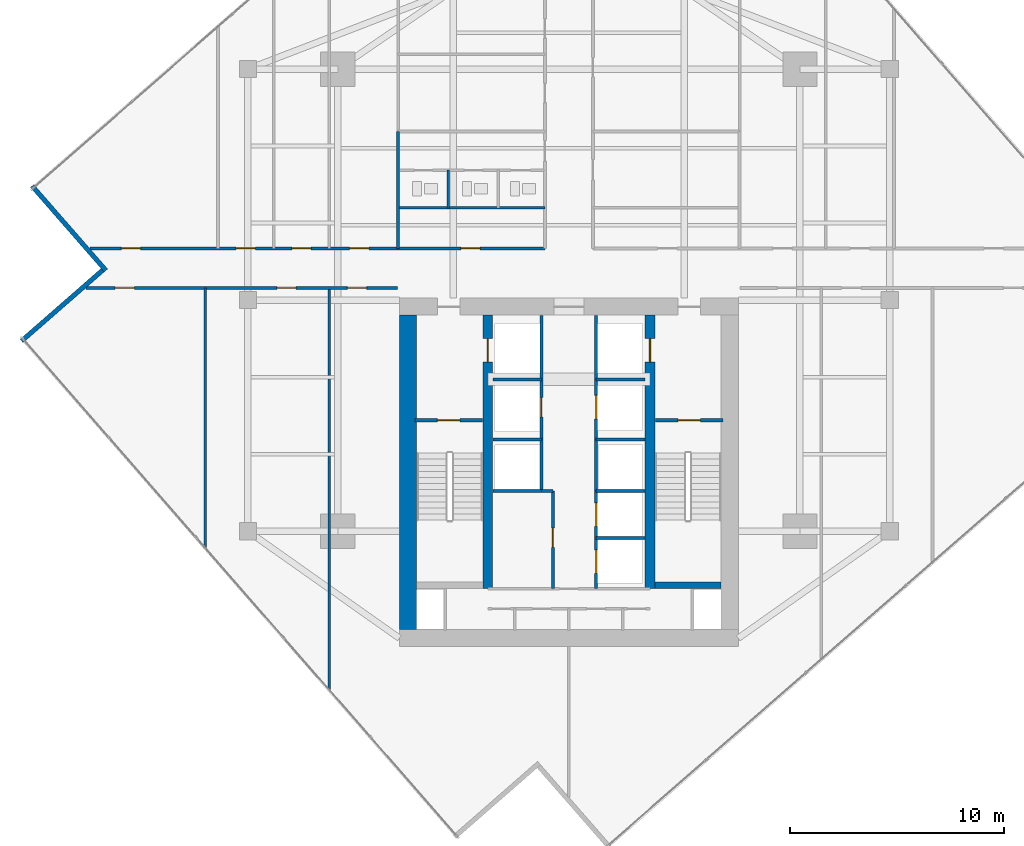
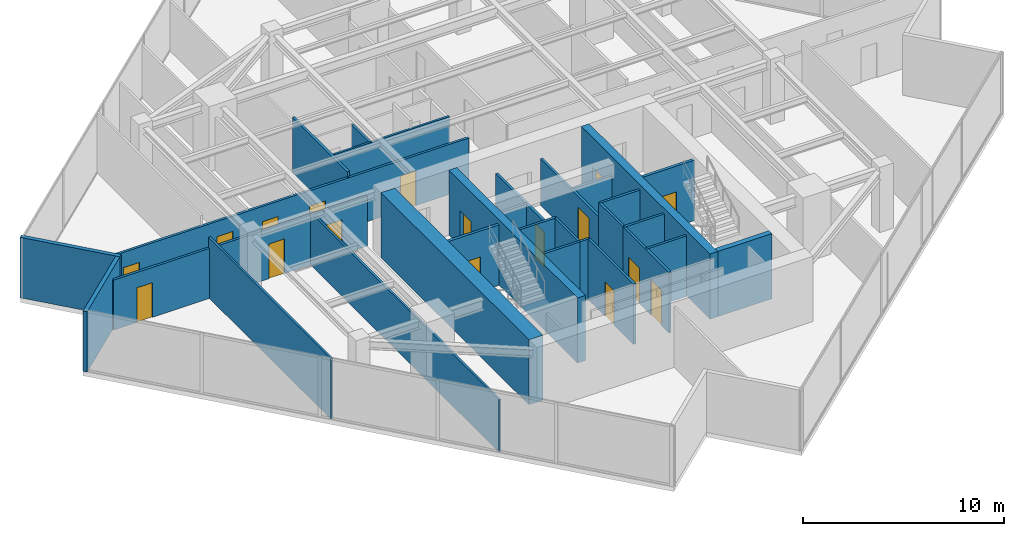
# One storey, part 20 of 24: 29 walls, 17 doors, 17 openings.
"""IFC4 building model written with IfcOpenShell, lengths in metres."""

from ifc_helpers import new_model, si_unit, direction, frame, frame_2d, origin, place, context, subcontext, project, spatial, rectangle, extrude, material, layer, layer_set, type_object, element, fill, save


model = new_model("IFC4")

# Units and contexts
model_context = context("Model", 3, precision=1e-05, world=origin(), true_north=direction((0.0, 1.0)))
body_context = subcontext(model_context, "Body", "Model", "MODEL_VIEW")
ifc_project = project(units=[si_unit("LENGTHUNIT", "METRE"), si_unit("AREAUNIT", "SQUARE_METRE"), si_unit("VOLUMEUNIT", "CUBIC_METRE"), si_unit("PLANEANGLEUNIT", "RADIAN"), si_unit("MASSUNIT", "GRAM", prefix="KILO")], contexts=[model_context])

# Site, building, storey
site_placement = place(None, origin())
site = spatial("IfcSite", under=ifc_project, at=site_placement, CompositionType="ELEMENT")
building_placement = place(site_placement, origin())
building = spatial("IfcBuilding", under=site, at=building_placement, Name="Krantzveldt Concourse Tower", CompositionType="ELEMENT")
storey_placement = place(building_placement, frame((0.0, 0.0, 250.75)))
storey = spatial("IfcBuildingStorey", under=building, at=storey_placement, Name="L61", CompositionType="ELEMENT", Elevation=250.75)

# Walls
ifc_material_1 = material(Name="Anodised aluminium 6063-T6", Category="aluminium")
ifc_layer_1 = layer(ifc_material_1, 0.219970703125, Name="Anodised aluminium 6063-T6", Category="aluminium")
ifc_layer_set_1 = layer_set([ifc_layer_1], Name="Anodised aluminium 6063-T6 (WL-EXT-NOTCH220)")
wall_type_1 = type_object("IfcWallType", Name="WL-EXT-NOTCH220", PredefinedType="ELEMENTEDWALL", material=ifc_layer_set_1)
wall_1_placement = place(storey_placement, frame((10.90771484375, 32.038818359375, 0.0), z_axis=(0.0, 0.0, 1.0), x_axis=(0.657710057617, -0.7532711863, 0.0)))
element("IfcWall", 1, at=wall_1_placement, inside=storey, type_object=wall_type_1, Name="EW-L61-NCH02", PredefinedType="ELEMENTEDWALL", context=body_context, shape_type="SweptSolid", body=[
    extrude(rectangle(XDim=5.2451171875, YDim=0.219970703125, at=frame_2d((2.62255859375, 0.0))), origin(), (0.0, 0.0, 1.0), 3.669921875),
])
wall_2_placement = place(storey_placement, frame((14.2021484375, 28.098388671875, 0.0), z_axis=(0.0, 0.0, 1.0), x_axis=(-0.753274531518, -0.657706226339, 0.0)))
element("IfcWall", 2, at=wall_2_placement, inside=storey, type_object=wall_type_1, Name="EW-L61-NCH03", PredefinedType="ELEMENTEDWALL", context=body_context, shape_type="SweptSolid", body=[
    extrude(rectangle(XDim=5.02490234375, YDim=0.219970703125, at=frame_2d((2.512451171875, 0.0))), origin(), (0.0, 0.0, 1.0), 3.669921875),
])
ifc_material_2 = material(Name="Fire-rated gypsum plasterboard on steel stud", Category="steel")
ifc_layer_2 = layer(ifc_material_2, 0.1201171875, Name="Fire-rated gypsum plasterboard on steel stud", Category="steel")
ifc_layer_set_2 = layer_set([ifc_layer_2], Name="Fire-rated gypsum plasterboard on steel stud (WL-PART-120)")
wall_type_2 = type_object("IfcWallType", Name="WL-PART-120", PredefinedType="PARTITIONING", material=ifc_layer_set_2)
wall_3_placement = place(storey_placement, frame((28.02001953125, 31.02001953125, 0.0), z_axis=(0.0, 0.0, 1.0), x_axis=(1.0, 0.0, 0.0)))
element("IfcWall", 3, at=wall_3_placement, inside=storey, type_object=wall_type_2, Name="WP-L61-ISML", PredefinedType="PARTITIONING", context=body_context, shape_type="SweptSolid", body=[
    extrude(rectangle(XDim=6.85986328125, YDim=0.1201171875, at=frame_2d((3.429931640625, 0.0))), origin(), (0.0, 0.0, 1.0), 3.179931640625),
])
wall_4_placement = place(storey_placement, frame((30.3701171875, 31.02001953125, 0.0), z_axis=(0.0, 0.0, 1.0), x_axis=(0.0, 1.0, 0.0)))
element("IfcWall", 4, at=wall_4_placement, inside=storey, type_object=wall_type_2, Name="WP-L61-WCD1", PredefinedType="PARTITIONING", context=body_context, shape_type="SweptSolid", body=[
    extrude(rectangle(XDim=1.760009765625, YDim=0.1201171875, at=frame_2d((0.8798828125, 0.0))), origin(), (0.0, 0.0, 1.0), 3.179931640625),
])
wall_5_placement = place(storey_placement, frame((19.0, 15.13818359375, 0.0), z_axis=(0.0, 0.0, 1.0), x_axis=(0.0, 1.0, 0.0)))
element("IfcWall", 5, at=wall_5_placement, inside=storey, type_object=wall_type_2, Name="WP-L61-SWX1", PredefinedType="PARTITIONING", context=body_context, shape_type="SweptSolid", body=[
    extrude(rectangle(XDim=12.141845703125, YDim=0.1201171875, at=frame_2d((6.07080078125, 0.0))), origin(), (0.0, 0.0, 1.0), 3.669921875),
])
wall_6_placement = place(storey_placement, frame((24.800048828125, 8.495361328125, 0.0), z_axis=(0.0, 0.0, 1.0), x_axis=(0.0, 1.0, 0.0)))
element("IfcWall", 6, at=wall_6_placement, inside=storey, type_object=wall_type_2, Name="WP-L61-SWX2", PredefinedType="PARTITIONING", context=body_context, shape_type="SweptSolid", body=[
    extrude(rectangle(XDim=18.78466796875, YDim=0.1201171875, at=frame_2d((9.392333984375, 0.0))), origin(), (0.0, 0.0, 1.0), 3.179931640625),
])

# Wall, openings, doors
ifc_layer_3 = layer(ifc_material_2, 0.139892578125, Name="Fire-rated gypsum plasterboard on steel stud", Category="steel")
ifc_layer_set_3 = layer_set([ifc_layer_3], Name="Fire-rated gypsum plasterboard on steel stud (WL-PART-140)")
wall_type_3 = type_object("IfcWallType", Name="WL-PART-140", PredefinedType="PARTITIONING", material=ifc_layer_set_3)
wall_7_placement = place(storey_placement, frame((13.60888671875, 29.1201171875, 0.0), z_axis=(0.0, 0.0, 1.0), x_axis=(1.0, 0.0, 0.0)))
wall_7 = element("IfcWall", 7, at=wall_7_placement, inside=storey, type_object=wall_type_3, Name="WP-L61-EWNL", PredefinedType="PARTITIONING", context=body_context, shape_type="SweptSolid", body=[
    extrude(rectangle(XDim=21.27099609375, YDim=0.139892578125, at=frame_2d((10.635498046875, 0.0))), origin(), (0.0, 0.0, 1.0), 3.030029296875),
])
opening_1_placement = place(wall_7_placement, frame((17.341064453125, 0.0, 0.0)))
opening_1 = element("IfcOpeningElement", 8, at=opening_1_placement, cuts=wall_7, Name="Opening D-IN090", PredefinedType="OPENING", context=body_context, shape_type="SweptSolid", body=[
    extrude(rectangle(XDim=0.89990234375, YDim=2.10009765625, at=frame_2d((0.449951171875, 1.050048828125))), frame((0.0, 0.080078125, 0.0), z_axis=(0.0, -1.0, 0.0), x_axis=(1.0, 0.0, 0.0)), (0.0, 0.0, 1.0), 0.159912109375),
])
opening_2_placement = place(wall_7_placement, frame((1.47802734375, 0.0, 0.0)))
opening_2 = element("IfcOpeningElement", 9, at=opening_2_placement, cuts=wall_7, Name="Opening D-IN090", PredefinedType="OPENING", context=body_context, shape_type="SweptSolid", body=[
    extrude(rectangle(XDim=0.89990234375, YDim=2.10009765625, at=frame_2d((0.449951171875, 1.050048828125))), frame((0.0, 0.080078125, 0.0), z_axis=(0.0, -1.0, 0.0), x_axis=(1.0, 0.0, 0.0)), (0.0, 0.0, 1.0), 0.159912109375),
])
opening_3_placement = place(wall_7_placement, frame((6.841064453125, 0.0, 0.0)))
opening_3 = element("IfcOpeningElement", 10, at=opening_3_placement, cuts=wall_7, Name="Opening D-IN090", PredefinedType="OPENING", context=body_context, shape_type="SweptSolid", body=[
    extrude(rectangle(XDim=0.89990234375, YDim=2.10009765625, at=frame_2d((0.449951171875, 1.050048828125))), frame((0.0, 0.080078125, 0.0), z_axis=(0.0, -1.0, 0.0), x_axis=(1.0, 0.0, 0.0)), (0.0, 0.0, 1.0), 0.159912109375),
])
opening_4_placement = place(wall_7_placement, frame((9.44091796875, 0.0, 0.0)))
opening_4 = element("IfcOpeningElement", 11, at=opening_4_placement, cuts=wall_7, Name="Opening D-IN090", PredefinedType="OPENING", context=body_context, shape_type="SweptSolid", body=[
    extrude(rectangle(XDim=0.89990234375, YDim=2.10009765625, at=frame_2d((0.449951171875, 1.050048828125))), frame((0.0, 0.080078125, 0.0), z_axis=(0.0, -1.0, 0.0), x_axis=(1.0, 0.0, 0.0)), (0.0, 0.0, 1.0), 0.159912109375),
])
opening_5_placement = place(wall_7_placement, frame((12.14111328125, 0.0, 0.0)))
opening_5 = element("IfcOpeningElement", 12, at=opening_5_placement, cuts=wall_7, Name="Opening D-IN090", PredefinedType="OPENING", context=body_context, shape_type="SweptSolid", body=[
    extrude(rectangle(XDim=0.89990234375, YDim=2.10009765625, at=frame_2d((0.449951171875, 1.050048828125))), frame((0.0, 0.080078125, 0.0), z_axis=(0.0, -1.0, 0.0), x_axis=(1.0, 0.0, 0.0)), (0.0, 0.0, 1.0), 0.159912109375),
])
ifc_material_3 = material(Name="Hardwood timber", Category="wood")
door_type_1 = type_object("IfcDoorType", Name="DR-INT-900", OperationType="SINGLE_SWING_LEFT", PredefinedType="DOOR", material=ifc_material_3)
door_1_placement = place(opening_1_placement, origin())
door_1 = element("IfcDoor", 13, at=door_1_placement, inside=storey, type_object=door_type_1, Name="DR-L61-ALCL", OperationType="SINGLE_SWING_LEFT", OverallHeight=2.10009765625, OverallWidth=0.89990234375, PredefinedType="DOOR", context=body_context, shape_type="SweptSolid", body=[
    extrude(rectangle(XDim=0.89990234375, YDim=2.10009765625, at=frame_2d((0.449951171875, 1.050048828125))), frame((0.0, 0.02490234375, 0.0), z_axis=(0.0, -1.0, 0.0), x_axis=(1.0, 0.0, 0.0)), (0.0, 0.0, 1.0), 0.050048828125),
])
fill(opening_1, door_1)
door_2_placement = place(opening_2_placement, origin())
door_2 = element("IfcDoor", 14, at=door_2_placement, inside=storey, type_object=door_type_1, Name="DR-L61-NWX1", OperationType="SINGLE_SWING_LEFT", OverallHeight=2.10009765625, OverallWidth=0.89990234375, PredefinedType="DOOR", context=body_context, shape_type="SweptSolid", body=[
    extrude(rectangle(XDim=0.89990234375, YDim=2.10009765625, at=frame_2d((0.449951171875, 1.050048828125))), frame((0.0, 0.02490234375, 0.0), z_axis=(0.0, -1.0, 0.0), x_axis=(1.0, 0.0, 0.0)), (0.0, 0.0, 1.0), 0.050048828125),
])
fill(opening_2, door_2)
door_3_placement = place(opening_3_placement, origin())
door_3 = element("IfcDoor", 15, at=door_3_placement, inside=storey, type_object=door_type_1, Name="DR-L61-NWX2", OperationType="SINGLE_SWING_LEFT", OverallHeight=2.10009765625, OverallWidth=0.89990234375, PredefinedType="DOOR", context=body_context, shape_type="SweptSolid", body=[
    extrude(rectangle(XDim=0.89990234375, YDim=2.10009765625, at=frame_2d((0.449951171875, 1.050048828125))), frame((0.0, 0.02490234375, 0.0), z_axis=(0.0, -1.0, 0.0), x_axis=(1.0, 0.0, 0.0)), (0.0, 0.0, 1.0), 0.050048828125),
])
fill(opening_3, door_3)
door_4_placement = place(opening_4_placement, origin())
door_4 = element("IfcDoor", 16, at=door_4_placement, inside=storey, type_object=door_type_1, Name="DR-L61-NWX3", OperationType="SINGLE_SWING_LEFT", OverallHeight=2.10009765625, OverallWidth=0.89990234375, PredefinedType="DOOR", context=body_context, shape_type="SweptSolid", body=[
    extrude(rectangle(XDim=0.89990234375, YDim=2.10009765625, at=frame_2d((0.449951171875, 1.050048828125))), frame((0.0, 0.02490234375, 0.0), z_axis=(0.0, -1.0, 0.0), x_axis=(1.0, 0.0, 0.0)), (0.0, 0.0, 1.0), 0.050048828125),
])
fill(opening_4, door_4)
door_5_placement = place(opening_5_placement, origin())
door_5 = element("IfcDoor", 17, at=door_5_placement, inside=storey, type_object=door_type_1, Name="DR-L61-NWX4", OperationType="SINGLE_SWING_LEFT", OverallHeight=2.10009765625, OverallWidth=0.89990234375, PredefinedType="DOOR", context=body_context, shape_type="SweptSolid", body=[
    extrude(rectangle(XDim=0.89990234375, YDim=2.10009765625, at=frame_2d((0.449951171875, 1.050048828125))), frame((0.0, 0.02490234375, 0.0), z_axis=(0.0, -1.0, 0.0), x_axis=(1.0, 0.0, 0.0)), (0.0, 0.0, 1.0), 0.050048828125),
])
fill(opening_5, door_5)

wall_8_placement = place(storey_placement, frame((13.439453125, 27.280029296875, 0.0), z_axis=(0.0, 0.0, 1.0), x_axis=(1.0, 0.0, 0.0)))
wall_8 = element("IfcWall", 18, at=wall_8_placement, inside=storey, type_object=wall_type_3, Name="WP-L61-EWSL", PredefinedType="PARTITIONING", context=body_context, shape_type="SweptSolid", body=[
    extrude(rectangle(XDim=14.560546875, YDim=0.139892578125, at=frame_2d((7.2802734375, 0.0))), origin(), (0.0, 0.0, 1.0), 3.030029296875),
])
opening_6_placement = place(wall_8_placement, frame((1.347412109375, 0.0, 0.0)))
opening_6 = element("IfcOpeningElement", 19, at=opening_6_placement, cuts=wall_8, Name="Opening D-IN090", PredefinedType="OPENING", context=body_context, shape_type="SweptSolid", body=[
    extrude(rectangle(XDim=0.89990234375, YDim=2.10009765625, at=frame_2d((0.449951171875, 1.050048828125))), frame((0.0, 0.080078125, 0.0), z_axis=(0.0, -1.0, 0.0), x_axis=(1.0, 0.0, 0.0)), (0.0, 0.0, 1.0), 0.159912109375),
])
opening_7_placement = place(wall_8_placement, frame((8.910400390625, 0.0, 0.0)))
opening_7 = element("IfcOpeningElement", 20, at=opening_7_placement, cuts=wall_8, Name="Opening D-IN090", PredefinedType="OPENING", context=body_context, shape_type="SweptSolid", body=[
    extrude(rectangle(XDim=0.89990234375, YDim=2.10009765625, at=frame_2d((0.449951171875, 1.050048828125))), frame((0.0, 0.080078125, 0.0), z_axis=(0.0, -1.0, 0.0), x_axis=(1.0, 0.0, 0.0)), (0.0, 0.0, 1.0), 0.159912109375),
])
opening_8_placement = place(wall_8_placement, frame((12.21044921875, 0.0, 0.0)))
opening_8 = element("IfcOpeningElement", 21, at=opening_8_placement, cuts=wall_8, Name="Opening D-IN090", PredefinedType="OPENING", context=body_context, shape_type="SweptSolid", body=[
    extrude(rectangle(XDim=0.89990234375, YDim=2.10009765625, at=frame_2d((0.449951171875, 1.050048828125))), frame((0.0, 0.080078125, 0.0), z_axis=(0.0, -1.0, 0.0), x_axis=(1.0, 0.0, 0.0)), (0.0, 0.0, 1.0), 0.159912109375),
])
door_6_placement = place(opening_6_placement, origin())
door_6 = element("IfcDoor", 22, at=door_6_placement, inside=storey, type_object=door_type_1, Name="DR-L61-SWX1", OperationType="SINGLE_SWING_LEFT", OverallHeight=2.10009765625, OverallWidth=0.89990234375, PredefinedType="DOOR", context=body_context, shape_type="SweptSolid", body=[
    extrude(rectangle(XDim=0.89990234375, YDim=2.10009765625, at=frame_2d((0.449951171875, 1.050048828125))), frame((0.0, 0.02490234375, 0.0), z_axis=(0.0, -1.0, 0.0), x_axis=(1.0, 0.0, 0.0)), (0.0, 0.0, 1.0), 0.050048828125),
])
fill(opening_6, door_6)
door_7_placement = place(opening_7_placement, origin())
door_7 = element("IfcDoor", 23, at=door_7_placement, inside=storey, type_object=door_type_1, Name="DR-L61-SWX2", OperationType="SINGLE_SWING_LEFT", OverallHeight=2.10009765625, OverallWidth=0.89990234375, PredefinedType="DOOR", context=body_context, shape_type="SweptSolid", body=[
    extrude(rectangle(XDim=0.89990234375, YDim=2.10009765625, at=frame_2d((0.449951171875, 1.050048828125))), frame((0.0, 0.02490234375, 0.0), z_axis=(0.0, -1.0, 0.0), x_axis=(1.0, 0.0, 0.0)), (0.0, 0.0, 1.0), 0.050048828125),
])
fill(opening_7, door_7)
door_8_placement = place(opening_8_placement, origin())
door_8 = element("IfcDoor", 24, at=door_8_placement, inside=storey, type_object=door_type_1, Name="DR-L61-SWX3", OperationType="SINGLE_SWING_LEFT", OverallHeight=2.10009765625, OverallWidth=0.89990234375, PredefinedType="DOOR", context=body_context, shape_type="SweptSolid", body=[
    extrude(rectangle(XDim=0.89990234375, YDim=2.10009765625, at=frame_2d((0.449951171875, 1.050048828125))), frame((0.0, 0.02490234375, 0.0), z_axis=(0.0, -1.0, 0.0), x_axis=(1.0, 0.0, 0.0)), (0.0, 0.0, 1.0), 0.050048828125),
])
fill(opening_8, door_8)

# Wall
wall_9_placement = place(storey_placement, frame((28.02001953125, 29.1201171875, 0.0), z_axis=(0.0, 0.0, 1.0), x_axis=(0.0, 1.0, 0.0)))
element("IfcWall", 25, at=wall_9_placement, inside=storey, type_object=wall_type_3, Name="WP-L61-ISWL", PredefinedType="PARTITIONING", context=body_context, shape_type="SweptSolid", body=[
    extrude(rectangle(XDim=5.4599609375, YDim=0.139892578125, at=frame_2d((2.72998046875, 0.0))), origin(), (0.0, 0.0, 1.0), 3.3701171875),
])

# Wall, opening, door
ifc_layer_4 = layer(ifc_material_2, 0.139892578125, Name="Fire-rated gypsum plasterboard on steel stud", Category="steel")
ifc_layer_set_4 = layer_set([ifc_layer_4], Name="Fire-rated gypsum plasterboard on steel stud (WL-PART-FR140)")
wall_type_4 = type_object("IfcWallType", Name="WL-PART-FR140", PredefinedType="PARTITIONING", material=ifc_layer_set_4)
wall_10_placement = place(storey_placement, frame((34.719970703125, 20.199951171875, 0.0), z_axis=(0.0, 0.0, 1.0), x_axis=(0.0, 1.0, 0.0)))
wall_10 = element("IfcWall", 26, at=wall_10_placement, inside=storey, type_object=wall_type_4, Name="WP-L61-SHNW", PredefinedType="PARTITIONING", context=body_context, shape_type="SweptSolid", body=[
    extrude(rectangle(XDim=5.780029296875, YDim=0.139892578125, at=frame_2d((2.89013671875, 0.0))), origin(), (0.0, 0.0, 1.0), 2.820068359375),
])
opening_9_placement = place(wall_10_placement, frame((1.050048828125, 0.0, 0.0)))
opening_9 = element("IfcOpeningElement", 27, at=opening_9_placement, cuts=wall_10, Name="Opening D-FD090", PredefinedType="OPENING", context=body_context, shape_type="SweptSolid", body=[
    extrude(rectangle(XDim=0.89990234375, YDim=2.10009765625, at=frame_2d((0.449951171875, 1.050048828125))), frame((0.0, 0.080078125, 0.0), z_axis=(0.0, -1.0, 0.0), x_axis=(1.0, 0.0, 0.0)), (0.0, 0.0, 1.0), 0.159912109375),
])
door_type_2 = type_object("IfcDoorType", Name="DR-FD60-900", OperationType="SINGLE_SWING_LEFT", PredefinedType="DOOR", material=ifc_material_3)
door_9_placement = place(opening_9_placement, origin())
door_9 = element("IfcDoor", 28, at=door_9_placement, inside=storey, type_object=door_type_2, Name="Electrical Riser Access Door L61", OperationType="SINGLE_SWING_LEFT", OverallHeight=2.10009765625, OverallWidth=0.89990234375, PredefinedType="DOOR", context=body_context, shape_type="SweptSolid", body=[
    extrude(rectangle(XDim=0.89990234375, YDim=2.10009765625, at=frame_2d((0.449951171875, 1.050048828125))), frame((0.0, 0.02490234375, 0.0), z_axis=(0.0, -1.0, 0.0), x_axis=(1.0, 0.0, 0.0)), (0.0, 0.0, 1.0), 0.050048828125),
])
fill(opening_9, door_9)

wall_11_placement = place(storey_placement, frame((37.280029296875, 20.199951171875, 0.0), z_axis=(0.0, 0.0, 1.0), x_axis=(0.0, 1.0, 0.0)))
wall_11 = element("IfcWall", 29, at=wall_11_placement, inside=storey, type_object=wall_type_4, Name="WP-L61-SHNE", PredefinedType="PARTITIONING", context=body_context, shape_type="SweptSolid", body=[
    extrude(rectangle(XDim=5.780029296875, YDim=0.139892578125, at=frame_2d((2.89013671875, 0.0))), origin(), (0.0, 0.0, 1.0), 2.820068359375),
])
opening_10_placement = place(wall_11_placement, frame((0.949951171875, 0.0, 0.0)))
opening_10 = element("IfcOpeningElement", 30, at=opening_10_placement, cuts=wall_11, Name="Opening LD", PredefinedType="OPENING", context=body_context, shape_type="SweptSolid", body=[
    extrude(rectangle(XDim=1.10009765625, YDim=2.14990234375, at=frame_2d((0.550048828125, 1.074951171875))), frame((0.0, 0.080078125, 0.0), z_axis=(0.0, -1.0, 0.0), x_axis=(1.0, 0.0, 0.0)), (0.0, 0.0, 1.0), 0.159912109375),
])
ifc_material_4 = material(Name="Stainless steel 316L", Category="steel")
door_type_3 = type_object("IfcDoorType", Name="DR-SLIDE-LD1100", OperationType="DOUBLE_DOOR_SLIDING", PredefinedType="DOOR", material=ifc_material_4)
door_10_placement = place(opening_10_placement, origin())
door_10 = element("IfcDoor", 31, at=door_10_placement, inside=storey, type_object=door_type_3, Name="LD-L61-GL1", OperationType="DOUBLE_DOOR_SLIDING", OverallHeight=2.14990234375, OverallWidth=1.10009765625, PredefinedType="DOOR", context=body_context, shape_type="SweptSolid", body=[
    extrude(rectangle(XDim=1.10009765625, YDim=2.14990234375, at=frame_2d((0.550048828125, 1.074951171875))), frame((0.0, 0.02490234375, 0.0), z_axis=(0.0, -1.0, 0.0), x_axis=(1.0, 0.0, 0.0)), (0.0, 0.0, 1.0), 0.050048828125),
])
fill(opening_10, door_10)

# Walls
for number, where, z_axis, x_axis, name in (
    (32, (32.449951171875, 23.0, 0.0), (0.0, 0.0, 1.0), (1.0, 0.0, 0.0), "WP-L61-RISH"),
    (33, (37.280029296875, 23.0, 0.0), (0.0, 0.0, 1.0), (1.0, 0.0, 0.0), "WP-L61-GLH"),
):
    element("IfcWall", number, at=place(storey_placement, frame(where, z_axis=z_axis, x_axis=x_axis)), inside=storey, type_object=wall_type_4, Name=name, PredefinedType="PARTITIONING", context=body_context, shape_type="SweptSolid", body=[
        extrude(rectangle(XDim=2.27001953125, YDim=0.139892578125, at=frame_2d((1.135009765625, 0.0))), origin(), (0.0, 0.0, 1.0), 2.820068359375),
    ])
for number, where, z_axis, x_axis, name in (
    (34, (34.719970703125, 17.780029296875, 0.0), (0.0, 0.0, 1.0), (0.0, 1.0, 0.0), "WP-L61-SHNW2"),
    (35, (37.280029296875, 17.780029296875, 0.0), (0.0, 0.0, 1.0), (0.0, 1.0, 0.0), "WP-L61-SHNE2"),
):
    element("IfcWall", number, at=place(storey_placement, frame(where, z_axis=z_axis, x_axis=x_axis)), inside=storey, type_object=wall_type_4, Name=name, PredefinedType="PARTITIONING", context=body_context, shape_type="SweptSolid", body=[
        extrude(rectangle(XDim=2.419921875, YDim=0.139892578125, at=frame_2d((1.2099609375, 0.0))), origin(), (0.0, 0.0, 1.0), 3.669921875),
    ])
for number, where, z_axis, x_axis, name in (
    (36, (32.449951171875, 17.780029296875, 0.0), (0.0, 0.0, 1.0), (1.0, 0.0, 0.0), "WP-L61-DIVW2"),
    (37, (32.449951171875, 20.179931640625, 0.0), (0.0, 0.0, 1.0), (1.0, 0.0, 0.0), "WP-L61-DIVW3"),
    (38, (37.280029296875, 17.780029296875, 0.0), (0.0, 0.0, 1.0), (1.0, 0.0, 0.0), "WP-L61-DIVE2"),
    (39, (37.280029296875, 20.179931640625, 0.0), (0.0, 0.0, 1.0), (1.0, 0.0, 0.0), "WP-L61-DIVE3"),
):
    element("IfcWall", number, at=place(storey_placement, frame(where, z_axis=z_axis, x_axis=x_axis)), inside=storey, type_object=wall_type_4, Name=name, PredefinedType="PARTITIONING", context=body_context, shape_type="SweptSolid", body=[
        extrude(rectangle(XDim=2.27001953125, YDim=0.139892578125, at=frame_2d((1.135009765625, 0.0))), origin(), (0.0, 0.0, 1.0), 3.669921875),
    ])

# Wall, opening, door
wall_12_placement = place(storey_placement, frame((35.25, 13.219970703125, 0.0), z_axis=(0.0, 0.0, 1.0), x_axis=(0.0, 1.0, 0.0)))
wall_12 = element("IfcWall", 40, at=wall_12_placement, inside=storey, type_object=wall_type_4, Name="WP-L61-RECW", PredefinedType="PARTITIONING", context=body_context, shape_type="SweptSolid", body=[
    extrude(rectangle(XDim=4.56005859375, YDim=0.139892578125, at=frame_2d((2.280029296875, 0.0))), origin(), (0.0, 0.0, 1.0), 3.669921875),
])
opening_11_placement = place(wall_12_placement, frame((1.929931640625, 0.0, 0.0)))
opening_11 = element("IfcOpeningElement", 41, at=opening_11_placement, cuts=wall_12, Name="Opening D-FD090", PredefinedType="OPENING", context=body_context, shape_type="SweptSolid", body=[
    extrude(rectangle(XDim=0.89990234375, YDim=2.10009765625, at=frame_2d((0.449951171875, 1.050048828125))), frame((0.0, 0.080078125, 0.0), z_axis=(0.0, -1.0, 0.0), x_axis=(1.0, 0.0, 0.0)), (0.0, 0.0, 1.0), 0.159912109375),
])
door_11_placement = place(opening_11_placement, origin())
door_11 = element("IfcDoor", 42, at=door_11_placement, inside=storey, type_object=door_type_2, Name="DR-L61-RECW", OperationType="SINGLE_SWING_LEFT", OverallHeight=2.10009765625, OverallWidth=0.89990234375, PredefinedType="DOOR", context=body_context, shape_type="SweptSolid", body=[
    extrude(rectangle(XDim=0.89990234375, YDim=2.10009765625, at=frame_2d((0.449951171875, 1.050048828125))), frame((0.0, 0.02490234375, 0.0), z_axis=(0.0, -1.0, 0.0), x_axis=(1.0, 0.0, 0.0)), (0.0, 0.0, 1.0), 0.050048828125),
])
fill(opening_11, door_11)

# Wall
wall_13_placement = place(storey_placement, frame((34.719970703125, 17.780029296875, 0.0), z_axis=(0.0, 0.0, 1.0), x_axis=(1.0, 0.0, 0.0)))
element("IfcWall", 43, at=wall_13_placement, inside=storey, type_object=wall_type_4, Name="WP-L61-RECWN", PredefinedType="PARTITIONING", context=body_context, shape_type="SweptSolid", body=[
    extrude(rectangle(XDim=0.530029296875, YDim=0.139892578125, at=frame_2d((0.26513671875, 0.0))), origin(), (0.0, 0.0, 1.0), 3.669921875),
])

# Wall, openings, doors
wall_14_placement = place(storey_placement, frame((37.280029296875, 13.219970703125, 0.0), z_axis=(0.0, 0.0, 1.0), x_axis=(0.0, 1.0, 0.0)))
wall_14 = element("IfcWall", 44, at=wall_14_placement, inside=storey, type_object=wall_type_4, Name="WP-L61-SHSE", PredefinedType="PARTITIONING", context=body_context, shape_type="SweptSolid", body=[
    extrude(rectangle(XDim=4.56005859375, YDim=0.139892578125, at=frame_2d((2.280029296875, 0.0))), origin(), (0.0, 0.0, 1.0), 3.669921875),
])
opening_12_placement = place(wall_14_placement, frame((0.7099609375, 0.0, 0.0)))
opening_12 = element("IfcOpeningElement", 45, at=opening_12_placement, cuts=wall_14, Name="Opening LD", PredefinedType="OPENING", context=body_context, shape_type="SweptSolid", body=[
    extrude(rectangle(XDim=1.10009765625, YDim=2.14990234375, at=frame_2d((0.550048828125, 1.074951171875))), frame((0.0, 0.080078125, 0.0), z_axis=(0.0, -1.0, 0.0), x_axis=(1.0, 0.0, 0.0)), (0.0, 0.0, 1.0), 0.159912109375),
])
opening_13_placement = place(wall_14_placement, frame((2.909912109375, 0.0, 0.0)))
opening_13 = element("IfcOpeningElement", 46, at=opening_13_placement, cuts=wall_14, Name="Opening LD", PredefinedType="OPENING", context=body_context, shape_type="SweptSolid", body=[
    extrude(rectangle(XDim=1.10009765625, YDim=2.14990234375, at=frame_2d((0.550048828125, 1.074951171875))), frame((0.0, 0.080078125, 0.0), z_axis=(0.0, -1.0, 0.0), x_axis=(1.0, 0.0, 0.0)), (0.0, 0.0, 1.0), 0.159912109375),
])
door_12_placement = place(opening_12_placement, origin())
door_12 = element("IfcDoor", 47, at=door_12_placement, inside=storey, type_object=door_type_3, Name="LD-L61-PM1", OperationType="DOUBLE_DOOR_SLIDING", OverallHeight=2.14990234375, OverallWidth=1.10009765625, PredefinedType="DOOR", context=body_context, shape_type="SweptSolid", body=[
    extrude(rectangle(XDim=1.10009765625, YDim=2.14990234375, at=frame_2d((0.550048828125, 1.074951171875))), frame((0.0, 0.02490234375, 0.0), z_axis=(0.0, -1.0, 0.0), x_axis=(1.0, 0.0, 0.0)), (0.0, 0.0, 1.0), 0.050048828125),
])
fill(opening_12, door_12)
door_13_placement = place(opening_13_placement, origin())
door_13 = element("IfcDoor", 48, at=door_13_placement, inside=storey, type_object=door_type_3, Name="LD-L61-PM2", OperationType="DOUBLE_DOOR_SLIDING", OverallHeight=2.14990234375, OverallWidth=1.10009765625, PredefinedType="DOOR", context=body_context, shape_type="SweptSolid", body=[
    extrude(rectangle(XDim=1.10009765625, YDim=2.14990234375, at=frame_2d((0.550048828125, 1.074951171875))), frame((0.0, 0.02490234375, 0.0), z_axis=(0.0, -1.0, 0.0), x_axis=(1.0, 0.0, 0.0)), (0.0, 0.0, 1.0), 0.050048828125),
])
fill(opening_13, door_13)

# Wall
wall_15_placement = place(storey_placement, frame((37.280029296875, 15.580078125, 0.0), z_axis=(0.0, 0.0, 1.0), x_axis=(1.0, 0.0, 0.0)))
element("IfcWall", 49, at=wall_15_placement, inside=storey, type_object=wall_type_4, Name="WP-L61-DIVE1", PredefinedType="PARTITIONING", context=body_context, shape_type="SweptSolid", body=[
    extrude(rectangle(XDim=2.27001953125, YDim=0.139892578125, at=frame_2d((1.135009765625, 0.0))), origin(), (0.0, 0.0, 1.0), 3.669921875),
])

# Wall, opening, door
ifc_layer_5 = layer(ifc_material_2, 0.159912109375, Name="Fire-rated gypsum plasterboard on steel stud", Category="steel")
ifc_layer_set_5 = layer_set([ifc_layer_5], Name="Fire-rated gypsum plasterboard on steel stud (WL-PART-FR160)")
wall_type_5 = type_object("IfcWallType", Name="WL-PART-FR160", PredefinedType="PARTITIONING", material=ifc_layer_set_5)
wall_16_placement = place(storey_placement, frame((28.800048828125, 21.080078125, 0.0), z_axis=(0.0, 0.0, 1.0), x_axis=(1.0, 0.0, 0.0)))
wall_16 = element("IfcWall", 50, at=wall_16_placement, inside=storey, type_object=wall_type_5, Name="WP-L61-ST1", PredefinedType="PARTITIONING", context=body_context, shape_type="SweptSolid", body=[
    extrude(rectangle(XDim=3.159912109375, YDim=0.159912109375, at=frame_2d((1.580078125, 0.0))), origin(), (0.0, 0.0, 1.0), 3.669921875),
])
opening_14_placement = place(wall_16_placement, frame((1.054931640625, 0.0, 0.0)))
opening_14 = element("IfcOpeningElement", 51, at=opening_14_placement, cuts=wall_16, Name="Opening D-FD105", PredefinedType="OPENING", context=body_context, shape_type="SweptSolid", body=[
    extrude(rectangle(XDim=1.050048828125, YDim=2.10009765625, at=frame_2d((0.52490234375, 1.050048828125))), frame((0.0, 0.08984375, 0.0), z_axis=(0.0, -1.0, 0.0), x_axis=(1.0, 0.0, 0.0)), (0.0, 0.0, 1.0), 0.179931640625),
])
ifc_material_5 = material(Name="Galvanised steel", Category="steel")
door_type_4 = type_object("IfcDoorType", Name="DR-FD120-1050", OperationType="SINGLE_SWING_LEFT", PredefinedType="DOOR", material=ifc_material_5)
door_14_placement = place(opening_14_placement, origin())
door_14 = element("IfcDoor", 52, at=door_14_placement, inside=storey, type_object=door_type_4, Name="DR-L61-ST1", OperationType="SINGLE_SWING_RIGHT", OverallHeight=2.10009765625, OverallWidth=1.050048828125, PredefinedType="DOOR", context=body_context, shape_type="SweptSolid", body=[
    extrude(rectangle(XDim=1.050048828125, YDim=2.10009765625, at=frame_2d((0.52490234375, 1.050048828125))), frame((0.0, 0.02490234375, 0.0), z_axis=(0.0, -1.0, 0.0), x_axis=(1.0, 0.0, 0.0)), (0.0, 0.0, 1.0), 0.050048828125),
])
fill(opening_14, door_14)

wall_17_placement = place(storey_placement, frame((40.0400390625, 21.080078125, 0.0), z_axis=(0.0, 0.0, 1.0), x_axis=(1.0, 0.0, 0.0)))
wall_17 = element("IfcWall", 53, at=wall_17_placement, inside=storey, type_object=wall_type_5, Name="WP-L61-ST2", PredefinedType="PARTITIONING", context=body_context, shape_type="SweptSolid", body=[
    extrude(rectangle(XDim=3.159912109375, YDim=0.159912109375, at=frame_2d((1.580078125, 0.0))), origin(), (0.0, 0.0, 1.0), 3.669921875),
])
opening_15_placement = place(wall_17_placement, frame((1.054931640625, 0.0, 0.0)))
opening_15 = element("IfcOpeningElement", 54, at=opening_15_placement, cuts=wall_17, Name="Opening D-FD105", PredefinedType="OPENING", context=body_context, shape_type="SweptSolid", body=[
    extrude(rectangle(XDim=1.050048828125, YDim=2.10009765625, at=frame_2d((0.52490234375, 1.050048828125))), frame((0.0, 0.08984375, 0.0), z_axis=(0.0, -1.0, 0.0), x_axis=(1.0, 0.0, 0.0)), (0.0, 0.0, 1.0), 0.179931640625),
])
door_15_placement = place(opening_15_placement, origin())
door_15 = element("IfcDoor", 55, at=door_15_placement, inside=storey, type_object=door_type_4, Name="DR-L61-ST2", OperationType="SINGLE_SWING_LEFT", OverallHeight=2.10009765625, OverallWidth=1.050048828125, PredefinedType="DOOR", context=body_context, shape_type="SweptSolid", body=[
    extrude(rectangle(XDim=1.050048828125, YDim=2.10009765625, at=frame_2d((0.52490234375, 1.050048828125))), frame((0.0, 0.02490234375, 0.0), z_axis=(0.0, -1.0, 0.0), x_axis=(1.0, 0.0, 0.0)), (0.0, 0.0, 1.0), 0.050048828125),
])
fill(opening_15, door_15)

# Wall
ifc_material_6 = material(Name="Concrete C50/60", Category="concrete")
ifc_layer_6 = layer(ifc_material_6, 0.300048828125, Name="Concrete C50/60", Category="concrete")
ifc_layer_set_6 = layer_set([ifc_layer_6], Name="Concrete C50/60 (WL-SHEAR-300)")
wall_type_6 = type_object("IfcWallType", Name="WL-SHEAR-300", PredefinedType="SHEAR", material=ifc_layer_set_6)
wall_18_placement = place(storey_placement, frame((40.02001953125, 13.3701171875, 0.0), z_axis=(0.0, 0.0, 1.0), x_axis=(1.0, 0.0, 0.0)))
element("IfcWall", 56, at=wall_18_placement, inside=storey, type_object=wall_type_6, Name="CW-L61-ST2S", PredefinedType="SHEAR", context=body_context, shape_type="SweptSolid", body=[
    extrude(rectangle(XDim=3.10009765625, YDim=0.300048828125, at=frame_2d((1.550048828125, 0.0))), origin(), (0.0, 0.0, 1.0), 3.949951171875),
])

# Wall, opening, door
ifc_layer_7 = layer(ifc_material_6, 0.449951171875, Name="Concrete C50/60", Category="concrete")
ifc_layer_set_7 = layer_set([ifc_layer_7], Name="Concrete C50/60 (WL-SHEAR-450)")
wall_type_7 = type_object("IfcWallType", Name="WL-SHEAR-450", PredefinedType="SHEAR", material=ifc_layer_set_7)
wall_19_placement = place(storey_placement, frame((32.205078125, 13.219970703125, 0.0), z_axis=(0.0, 0.0, 1.0), x_axis=(0.0, 1.0, 0.0)))
wall_19 = element("IfcWall", 57, at=wall_19_placement, inside=storey, type_object=wall_type_7, Name="CW-L61-IW", PredefinedType="SHEAR", context=body_context, shape_type="SweptSolid", body=[
    extrude(rectangle(XDim=12.780029296875, YDim=0.449951171875, at=frame_2d((6.39013671875, 0.0))), origin(), (0.0, 0.0, 1.0), 3.949951171875),
])
opening_16_placement = place(wall_19_placement, frame((10.580078125, 0.0, 0.0)))
opening_16 = element("IfcOpeningElement", 58, at=opening_16_placement, cuts=wall_19, Name="Opening LD", PredefinedType="OPENING", context=body_context, shape_type="SweptSolid", body=[
    extrude(rectangle(XDim=1.10009765625, YDim=2.14990234375, at=frame_2d((0.550048828125, 1.074951171875))), frame((0.0, 0.23486328125, 0.0), z_axis=(0.0, -1.0, 0.0), x_axis=(1.0, 0.0, 0.0)), (0.0, 0.0, 1.0), 0.469970703125),
])
door_16_placement = place(opening_16_placement, origin())
door_16 = element("IfcDoor", 59, at=door_16_placement, inside=storey, type_object=door_type_3, Name="LD-L61-FL1", OperationType="DOUBLE_DOOR_SLIDING", OverallHeight=2.14990234375, OverallWidth=1.10009765625, PredefinedType="DOOR", context=body_context, shape_type="SweptSolid", body=[
    extrude(rectangle(XDim=1.10009765625, YDim=2.14990234375, at=frame_2d((0.550048828125, 1.074951171875))), frame((0.0, 0.02490234375, 0.0), z_axis=(0.0, -1.0, 0.0), x_axis=(1.0, 0.0, 0.0)), (0.0, 0.0, 1.0), 0.050048828125),
])
fill(opening_16, door_16)

wall_20_placement = place(storey_placement, frame((39.794921875, 13.219970703125, 0.0), z_axis=(0.0, 0.0, 1.0), x_axis=(0.0, 1.0, 0.0)))
wall_20 = element("IfcWall", 60, at=wall_20_placement, inside=storey, type_object=wall_type_7, Name="CW-L61-IE", PredefinedType="SHEAR", context=body_context, shape_type="SweptSolid", body=[
    extrude(rectangle(XDim=12.780029296875, YDim=0.449951171875, at=frame_2d((6.39013671875, 0.0))), origin(), (0.0, 0.0, 1.0), 3.949951171875),
])
opening_17_placement = place(wall_20_placement, frame((10.580078125, 0.0, 0.0)))
opening_17 = element("IfcOpeningElement", 61, at=opening_17_placement, cuts=wall_20, Name="Opening LD", PredefinedType="OPENING", context=body_context, shape_type="SweptSolid", body=[
    extrude(rectangle(XDim=1.10009765625, YDim=2.14990234375, at=frame_2d((0.550048828125, 1.074951171875))), frame((0.0, 0.23486328125, 0.0), z_axis=(0.0, -1.0, 0.0), x_axis=(1.0, 0.0, 0.0)), (0.0, 0.0, 1.0), 0.469970703125),
])
door_17_placement = place(opening_17_placement, origin())
door_17 = element("IfcDoor", 62, at=door_17_placement, inside=storey, type_object=door_type_3, Name="LD-L61-FL2", OperationType="DOUBLE_DOOR_SLIDING", OverallHeight=2.14990234375, OverallWidth=1.10009765625, PredefinedType="DOOR", context=body_context, shape_type="SweptSolid", body=[
    extrude(rectangle(XDim=1.10009765625, YDim=2.14990234375, at=frame_2d((0.550048828125, 1.074951171875))), frame((0.0, 0.02490234375, 0.0), z_axis=(0.0, -1.0, 0.0), x_axis=(1.0, 0.0, 0.0)), (0.0, 0.0, 1.0), 0.050048828125),
])
fill(opening_17, door_17)

# Wall
ifc_material_7 = material(Name="Concrete C60/75", Category="concrete")
ifc_layer_8 = layer(ifc_material_7, 0.800048828125, Name="Concrete C60/75", Category="concrete")
ifc_layer_set_8 = layer_set([ifc_layer_8], Name="Concrete C60/75 (WL-SHEAR-800)")
wall_type_8 = type_object("IfcWallType", Name="WL-SHEAR-800", PredefinedType="SHEAR", material=ifc_layer_set_8)
wall_21_placement = place(storey_placement, frame((28.47998046875, 11.300048828125, 0.0), z_axis=(0.0, 0.0, 1.0), x_axis=(0.0, 1.0, 0.0)))
element("IfcWall", 63, at=wall_21_placement, inside=storey, type_object=wall_type_8, Name="CW-L61-W", PredefinedType="SHEAR", context=body_context, shape_type="SweptSolid", body=[
    extrude(rectangle(XDim=14.699951171875, YDim=0.800048828125, at=frame_2d((7.35009765625, 0.0))), origin(), (0.0, 0.0, 1.0), 3.949951171875),
])

save(model, "model.ifc")
